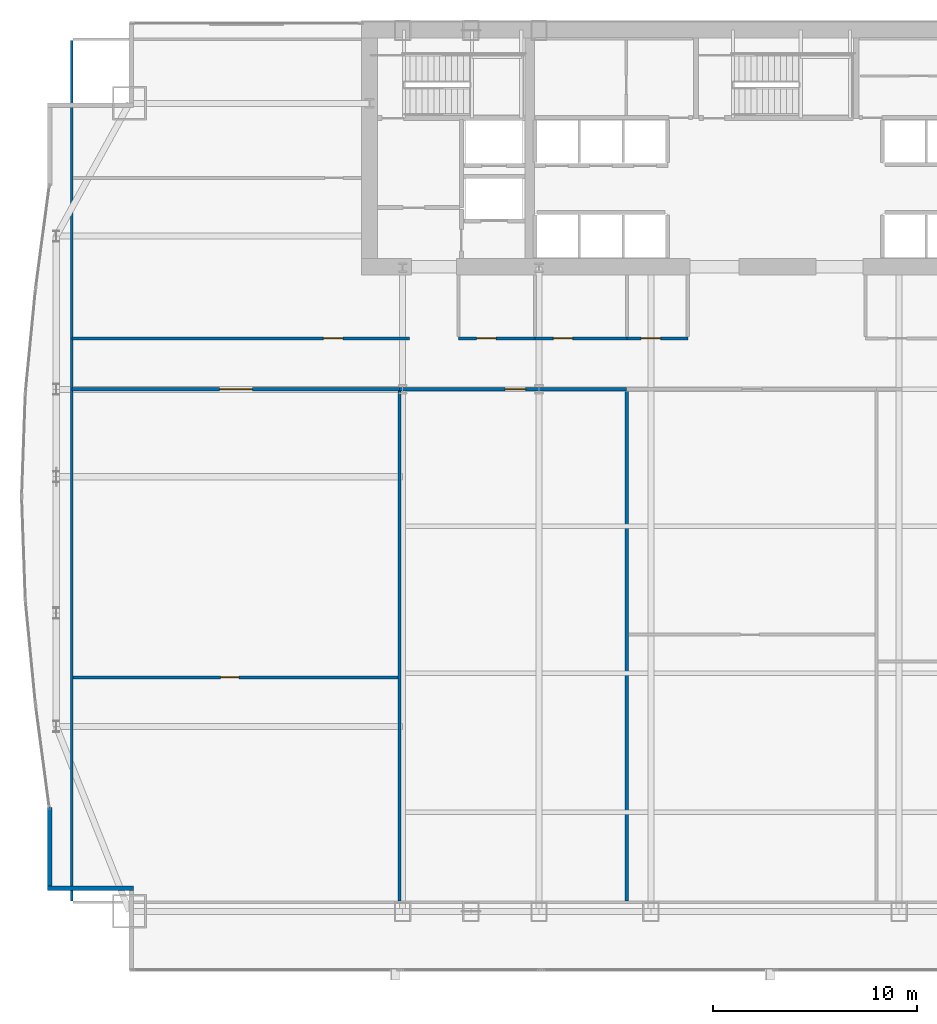
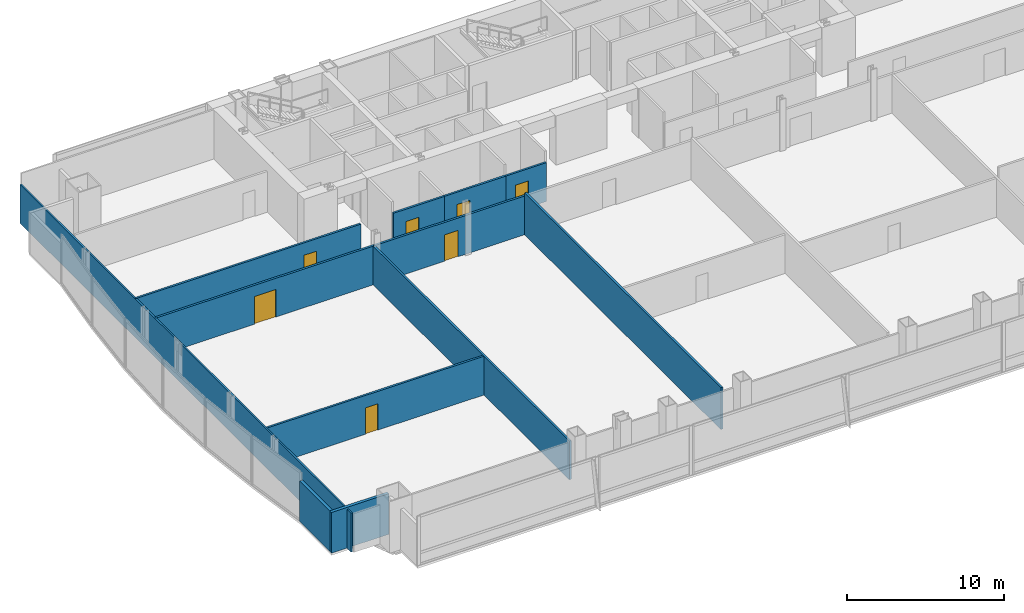
# One storey, part 28 of 35: 12 walls, 7 doors, 7 openings.
"""IFC4 building model written with IfcOpenShell, lengths in metres."""

import ifcopenshell
import ifcopenshell.guid

model = None  # the IFC model being written
_history = None  # IfcOwnerHistory: only IFC2X3 demands one
_inside = {}  # id of a spatial element -> (the spatial element, [elements in it])
_under = {}  # id of a project, library or spatial element -> (it, [spatial elements below it])
_declared = {}  # id of a project -> (the project, [libraries it declares])
_typed = {}  # id of a type object -> (the type object, [elements of that type])
_made_of = {}  # id of a material, layer set ... -> (it, [elements and type objects made of it])


def new_model(schema):
    """Start an empty IFC model of exactly this schema.

    Asked for "IFC4X3", IfcOpenShell would pick the latest addendum, in which some entities
    have other attributes; the version numbers below select the first issue.
    IFC2X3 requires an IfcOwnerHistory on every rooted entity: one is made here for all.
    """
    global model, _history
    if schema == "IFC4X3":
        model = ifcopenshell.file(schema_version=(4, 3, 0, 0))
    else:
        model = ifcopenshell.file(schema=schema)
    _inside.clear()
    _under.clear()
    _declared.clear()
    _typed.clear()
    _made_of.clear()
    _history = None
    if model.schema == "IFC2X3":
        org = make("IfcOrganization", Name="unknown")
        user = make(
            "IfcPersonAndOrganization",
            ThePerson=make("IfcPerson", FamilyName="unknown"),
            TheOrganization=org,
        )
        app = make(
            "IfcApplication",
            ApplicationDeveloper=org,
            Version="unknown",
            ApplicationFullName="unknown",
            ApplicationIdentifier="unknown",
        )
        _history = make(
            "IfcOwnerHistory",
            OwningUser=user,
            OwningApplication=app,
            ChangeAction="ADDED",
            CreationDate=0,
        )
    return model


def make(cls, **values):
    """One entity of the class cls with the attributes given. An attribute that is None is left unset."""
    return model.create_entity(
        cls, **{name: value for name, value in values.items() if value is not None}
    )


def rooted(cls, **values):
    """An entity with a GlobalId (a new one), such as an element, a storey or a relation."""
    return make(cls, GlobalId=ifcopenshell.guid.new(), OwnerHistory=_history, **values)


def si_unit(unit_type, name, prefix=None):
    """IfcSIUnit, for example si_unit("LENGTHUNIT", "METRE", prefix="MILLI")."""
    return make("IfcSIUnit", UnitType=unit_type, Prefix=prefix, Name=name)


def assignment(units):
    """IfcUnitAssignment: the units of a project."""
    return None if units is None else make("IfcUnitAssignment", Units=units)


def point(xyz):
    """IfcCartesianPoint."""
    return None if xyz is None else make("IfcCartesianPoint", Coordinates=xyz)


def direction(xyz):
    """IfcDirection."""
    return None if xyz is None else make("IfcDirection", DirectionRatios=xyz)


def frame(location, z_axis=None, x_axis=None):
    """IfcAxis2Placement3D, a coordinate frame: its origin and axes. An axis left out is left unset."""
    return make(
        "IfcAxis2Placement3D",
        Location=point(location),
        Axis=direction(z_axis),
        RefDirection=direction(x_axis),
    )


def frame_2d(location, x_axis=None):
    """IfcAxis2Placement2D, a coordinate frame in the plane: its origin and x axis."""
    return make(
        "IfcAxis2Placement2D", Location=point(location), RefDirection=direction(x_axis)
    )


def origin():
    """The frame at (0, 0, 0) with its axes left unset."""
    return frame((0.0, 0.0, 0.0))


def place(relative_to, where):
    """IfcLocalPlacement: puts the frame where relative to a parent placement (None: the world)."""
    return make(
        "IfcLocalPlacement", PlacementRelTo=relative_to, RelativePlacement=where
    )


def context(
    kind, dimensions, precision=None, world=None, true_north=None, identifier=None
):
    """IfcGeometricRepresentationContext, for example the 3D "Model" context."""
    return make(
        "IfcGeometricRepresentationContext",
        ContextIdentifier=identifier,
        ContextType=kind,
        CoordinateSpaceDimension=dimensions,
        Precision=precision,
        WorldCoordinateSystem=world,
        TrueNorth=true_north,
    )


def subcontext(parent, identifier, kind, view, scale=None):
    """IfcGeometricRepresentationSubContext, for example "Body" below "Model"."""
    return make(
        "IfcGeometricRepresentationSubContext",
        ContextIdentifier=identifier,
        ContextType=kind,
        ParentContext=parent,
        TargetScale=scale,
        TargetView=view,
    )


def project(units=None, contexts=None):
    """IfcProject with its units and contexts."""
    return rooted(
        "IfcProject",
        Name="project",
        RepresentationContexts=contexts,
        UnitsInContext=assignment(units),
    )


def spatial(cls, under=None, at=None, **own):
    """A site, building, storey or space (cls), placed at a placement, below another one or the project."""
    s = rooted(cls, ObjectPlacement=at, **own)
    if under is not None:
        _under.setdefault(under.id(), (under, []))[1].append(s)
    return s


def profile(cls, at=None, kind="AREA", **sizes):
    """A parametric profile (cls). Its sizes go by their IFC names, for example OverallWidth=200.0."""
    return make(cls, ProfileType=kind, Position=at, **sizes)


def rectangle(**sizes):
    """IfcRectangleProfileDef."""
    return profile("IfcRectangleProfileDef", **sizes)


def extrude(swept, where, along, depth):
    """IfcExtrudedAreaSolid: the profile swept, set in the frame where, extruded along a direction by depth."""
    return make(
        "IfcExtrudedAreaSolid",
        SweptArea=swept,
        Position=where,
        ExtrudedDirection=direction(along),
        Depth=depth,
    )


def shape(context_of_items, identifier, shape_type, items):
    """IfcShapeRepresentation: the items that make up one representation, for example the "Body"."""
    return make(
        "IfcShapeRepresentation",
        ContextOfItems=context_of_items,
        RepresentationIdentifier=identifier,
        RepresentationType=shape_type,
        Items=items,
    )


def material(Name=None, Category=None):
    """IfcMaterial."""
    return make("IfcMaterial", Name=Name, Category=Category)


def layer(
    of_material, thickness, ventilated=None, Name=None, Category=None, Priority=None
):
    """IfcMaterialLayer: one layer of a wall or slab, of a material (None: an air gap)."""
    return make(
        "IfcMaterialLayer",
        Material=of_material,
        LayerThickness=thickness,
        IsVentilated=ventilated,
        Name=Name,
        Category=Category,
        Priority=Priority,
    )


def layer_set(layers, Name=None):
    """IfcMaterialLayerSet."""
    return make("IfcMaterialLayerSet", MaterialLayers=layers, LayerSetName=Name)


def made_of(thing, what):
    """Note that an element or type object is made of a material, layer set ...; save() writes the relation."""
    if what is not None:
        _made_of.setdefault(what.id(), (what, []))[1].append(thing)
    return thing


def type_object(cls, material=None, **own):
    """A type object (cls), such as IfcWallType, which elements share."""
    return made_of(rooted(cls, **own), material)


def element(
    cls,
    number,
    at=None,
    inside=None,
    cuts=None,
    type_object=None,
    material=None,
    context=None,
    identifier="Body",
    shape_type=None,
    held_by="IfcProductDefinitionShape",
    body=None,
    shapes=None,
    **own,
):
    """One element of the class cls, such as IfcWall. Its Tag is "e" and its number.

    at: its placement. inside: the storey or other place that contains it. cuts: it is an
    opening in that element (IfcRelVoidsElement). A single representation is given by context,
    identifier, shape_type and body (its items); several are given by shapes. held_by: the class
    of the entity that holds the representations. save() writes the other relations.
    """
    e = rooted(cls, Tag="e%d" % number, ObjectPlacement=at, **own)
    if body is not None:
        shapes = [shape(context, identifier, shape_type, body)]
    if shapes is not None:
        e.Representation = make(held_by, Representations=shapes)
    if inside is not None:
        _inside.setdefault(inside.id(), (inside, []))[1].append(e)
    if cuts is not None:
        rooted(
            "IfcRelVoidsElement", RelatingBuildingElement=cuts, RelatedOpeningElement=e
        )
    if type_object is not None:
        _typed.setdefault(type_object.id(), (type_object, []))[1].append(e)
    return made_of(e, material)


def fill(opening, filler):
    """IfcRelFillsElement: the door or window that sits in an opening."""
    return rooted(
        "IfcRelFillsElement",
        RelatingOpeningElement=opening,
        RelatedBuildingElement=filler,
    )


def aggregate(whole, parts):
    """IfcRelAggregates: a whole, such as a stair, and the parts it consists of."""
    return rooted("IfcRelAggregates", RelatingObject=whole, RelatedObjects=parts)


def save(model, path):
    """Write the relations noted so far, then the file.

    IfcRelAggregates (storeys below a building ...), IfcRelContainedInSpatialStructure (elements
    in a storey), IfcRelDefinesByType, IfcRelAssociatesMaterial and IfcRelDeclares: one each for
    every whole, place, type object, material and project.
    """
    for whole, parts in _under.values():
        aggregate(whole, parts)
    for where, things in _inside.values():
        rooted(
            "IfcRelContainedInSpatialStructure",
            RelatedElements=things,
            RelatingStructure=where,
        )
    for kind, things in _typed.values():
        rooted("IfcRelDefinesByType", RelatedObjects=things, RelatingType=kind)
    for what, things in _made_of.values():
        rooted("IfcRelAssociatesMaterial", RelatedObjects=things, RelatingMaterial=what)
    for by, libraries in _declared.values():
        rooted("IfcRelDeclares", RelatingContext=by, RelatedDefinitions=libraries)
    model.write(path)


model = new_model("IFC4")

# Units and contexts
model_context = context("Model", 3, precision=1e-05, world=origin(), true_north=direction((0.0, 1.0)))
body_context = subcontext(model_context, "Body", "Model", "MODEL_VIEW")
ifc_project = project(units=[si_unit("LENGTHUNIT", "METRE"), si_unit("AREAUNIT", "SQUARE_METRE"), si_unit("VOLUMEUNIT", "CUBIC_METRE"), si_unit("PLANEANGLEUNIT", "RADIAN"), si_unit("MASSUNIT", "GRAM", prefix="KILO")], contexts=[model_context])

# Site, building, storey
site_placement = place(None, origin())
site = spatial("IfcSite", under=ifc_project, at=site_placement, CompositionType="ELEMENT")
building_placement = place(site_placement, origin())
building = spatial("IfcBuilding", under=site, at=building_placement, Name="Khoronbel Lancet Exchange", CompositionType="ELEMENT")
storey_placement = place(building_placement, frame((0.0, 0.0, 69.800048828125)))
storey = spatial("IfcBuildingStorey", under=building, at=storey_placement, Name="L16", CompositionType="ELEMENT", Elevation=69.800048828125)

# Walls
ifc_material_1 = material(Name="Precast concrete C40/50", Category="concrete")
ifc_layer_1 = layer(ifc_material_1, 0.25, Name="Precast concrete C40/50")
ifc_layer_set_1 = layer_set([ifc_layer_1], Name="Precast concrete C40/50")
wall_type_1 = type_object("IfcWallType", Name="WL-EXT250", PredefinedType="SOLIDWALL", material=ifc_layer_set_1)
wall_1_placement = place(storey_placement, frame((5.050048828125, 11.2900390625, 0.0), z_axis=(0.0, 0.0, 1.0), x_axis=(-1.0, 0.0, 0.0)))
element("IfcWall", 1, at=wall_1_placement, inside=storey, type_object=wall_type_1, Name="Level L16 notched-corner limestone pier 02", PredefinedType="SOLIDWALL", context=body_context, shape_type="SweptSolid", body=[
    extrude(rectangle(XDim=4.219970703125, YDim=0.219970703125, at=frame_2d((2.10986328125, 0.0))), origin(), (0.0, 0.0, 1.0), 3.159912109375),
])
wall_2_placement = place(storey_placement, frame((0.93994140625, 11.39990234375, 0.0), z_axis=(0.0, 0.0, 1.0), x_axis=(0.0, 1.0, 0.0)))
element("IfcWall", 2, at=wall_2_placement, inside=storey, type_object=wall_type_1, Name="Level L16 notched-corner limestone pier 03", PredefinedType="SOLIDWALL", context=body_context, shape_type="SweptSolid", body=[
    extrude(rectangle(XDim=3.826171875, YDim=0.219970703125, at=frame_2d((1.9130859375, 0.0))), origin(), (0.0, 0.0, 1.0), 3.159912109375),
])

# Wall, opening, door
ifc_material_2 = material(Name="Acoustic Metal-Stud & Mineral-Wool Gypsum Partition 120 mm", Category="gypsum")
ifc_layer_2 = layer(ifc_material_2, 0.1201171875, Name="Acoustic Metal-Stud & Mineral-Wool Gypsum Partition 120 mm")
ifc_layer_set_2 = layer_set([ifc_layer_2], Name="Acoustic Metal-Stud & Mineral-Wool Gypsum Partition 120 mm")
wall_type_2 = type_object("IfcWallType", Name="WL-PRT120", PredefinedType="PARTITIONING", material=ifc_layer_set_2)
wall_3_placement = place(storey_placement, frame((2.094970703125, 21.599365234375, 0.0), z_axis=(0.0, 0.0, 1.0), x_axis=(1.0, 0.0, 0.0)))
wall_3 = element("IfcWall", 3, at=wall_3_placement, inside=storey, type_object=wall_type_2, Name="Level L16 interior partition PW-Z1S-H1", PredefinedType="PARTITIONING", context=body_context, shape_type="SweptSolid", body=[
    extrude(rectangle(XDim=15.893798828125, YDim=0.14990234375, at=frame_2d((7.94677734375, 0.0))), origin(), (0.0, 0.0, 1.0), 3.010009765625),
])
opening_1_placement = place(wall_3_placement, frame((7.21728515625, 0.0, 0.0)))
opening_1 = element("IfcOpeningElement", 4, at=opening_1_placement, cuts=wall_3, Name="Opening D5", PredefinedType="OPENING", context=body_context, shape_type="SweptSolid", body=[
    extrude(rectangle(XDim=0.89990234375, YDim=2.050048828125, at=frame_2d((0.449951171875, 1.02490234375))), frame((0.0, 0.0849609375, 0.0), z_axis=(0.0, -1.0, 0.0), x_axis=(1.0, 0.0, 0.0)), (0.0, 0.0, 1.0), 0.169921875),
])
ifc_material_3 = material(Name="Acoustic Timber Pantry & Support Door", Category="wood")
door_type_1 = type_object("IfcDoorType", Name="DR-D5", OperationType="NOTDEFINED", PredefinedType="DOOR", material=ifc_material_3)
door_1_placement = place(opening_1_placement, origin())
door_1 = element("IfcDoor", 5, at=door_1_placement, inside=storey, type_object=door_type_1, Name="Z1S inner door 1 L16-1", OperationType="SINGLE_SWING_RIGHT", OverallHeight=2.050048828125, OverallWidth=0.89990234375, PredefinedType="DOOR", context=body_context, shape_type="SweptSolid", body=[
    extrude(rectangle(XDim=0.89990234375, YDim=2.050048828125, at=frame_2d((0.449951171875, 1.02490234375))), frame((0.0, 0.02490234375, 0.0), z_axis=(0.0, -1.0, 0.0), x_axis=(1.0, 0.0, 0.0)), (0.0, 0.0, 1.0), 0.050048828125),
])
fill(opening_1, door_1)

# Wall
wall_4_placement = place(storey_placement, frame((2.030029296875, 10.6650390625, 0.0), z_axis=(0.0, 0.0, 1.0), x_axis=(0.0, 1.0, 0.0)))
element("IfcWall", 6, at=wall_4_placement, inside=storey, type_object=wall_type_2, Name="Level L16 interior partition PW-LIN-W", PredefinedType="PARTITIONING", context=body_context, shape_type="SweptSolid", body=[
    extrude(rectangle(XDim=42.10986328125, YDim=0.1201171875, at=frame_2d((21.054931640625, 0.0))), origin(), (0.0, 0.0, 1.0), 3.010009765625),
])

# Wall, opening, door
ifc_material_4 = material(Name="Fire-Rated Twin-Stud Acoustic Gypsum Partition 150 mm", Category="gypsum")
ifc_layer_3 = layer(ifc_material_4, 0.14990234375, Name="Fire-Rated Twin-Stud Acoustic Gypsum Partition 150 mm")
ifc_layer_set_3 = layer_set([ifc_layer_3], Name="Fire-Rated Twin-Stud Acoustic Gypsum Partition 150 mm")
wall_type_3 = type_object("IfcWallType", Name="WL-PRT150C", PredefinedType="PARTITIONING", material=ifc_layer_set_3)
wall_5_placement = place(storey_placement, frame((20.949951171875, 38.199951171875, 0.0), z_axis=(0.0, 0.0, 1.0), x_axis=(1.0, 0.0, 0.0)))
wall_5 = element("IfcWall", 7, at=wall_5_placement, inside=storey, type_object=wall_type_3, Name="Level L16 interior partition PW-WC-S1", PredefinedType="PARTITIONING", context=body_context, shape_type="SweptSolid", body=[
    extrude(rectangle(XDim=3.75, YDim=0.14990234375, at=frame_2d((1.875, 0.0))), origin(), (0.0, 0.0, 1.0), 3.010009765625),
])
opening_2_placement = place(wall_5_placement, frame((0.89990234375, 0.0, 0.0)))
opening_2 = element("IfcOpeningElement", 8, at=opening_2_placement, cuts=wall_5, Name="Opening D4", PredefinedType="OPENING", context=body_context, shape_type="SweptSolid", body=[
    extrude(rectangle(XDim=0.949951171875, YDim=2.050048828125, at=frame_2d((0.47509765625, 1.02490234375))), frame((0.0, 0.0849609375, 0.0), z_axis=(0.0, -1.0, 0.0), x_axis=(1.0, 0.0, 0.0)), (0.0, 0.0, 1.0), 0.169921875),
])
ifc_material_5 = material(Name="Moisture-Resistant HPL Washroom Door", Category="wood")
door_type_2 = type_object("IfcDoorType", Name="DR-D4", OperationType="NOTDEFINED", PredefinedType="DOOR", material=ifc_material_5)
door_2_placement = place(opening_2_placement, origin())
door_2 = element("IfcDoor", 9, at=door_2_placement, inside=storey, type_object=door_type_2, Name="Male washroom door L16-1", OperationType="SINGLE_SWING_LEFT", OverallHeight=2.050048828125, OverallWidth=0.949951171875, PredefinedType="DOOR", context=body_context, shape_type="SweptSolid", body=[
    extrude(rectangle(XDim=0.949951171875, YDim=2.050048828125, at=frame_2d((0.47509765625, 1.02490234375))), frame((0.0, 0.02490234375, 0.0), z_axis=(0.0, -1.0, 0.0), x_axis=(1.0, 0.0, 0.0)), (0.0, 0.0, 1.0), 0.050048828125),
])
fill(opening_2, door_2)

wall_6_placement = place(storey_placement, frame((24.699951171875, 38.199951171875, 0.0), z_axis=(0.0, 0.0, 1.0), x_axis=(1.0, 0.0, 0.0)))
wall_6 = element("IfcWall", 10, at=wall_6_placement, inside=storey, type_object=wall_type_3, Name="Level L16 interior partition PW-WC-S2", PredefinedType="PARTITIONING", context=body_context, shape_type="SweptSolid", body=[
    extrude(rectangle(XDim=4.5, YDim=0.14990234375, at=frame_2d((2.25, 0.0))), origin(), (0.0, 0.0, 1.0), 3.010009765625),
])
opening_3_placement = place(wall_6_placement, frame((0.89990234375, 0.0, 0.0)))
opening_3 = element("IfcOpeningElement", 11, at=opening_3_placement, cuts=wall_6, Name="Opening D4", PredefinedType="OPENING", context=body_context, shape_type="SweptSolid", body=[
    extrude(rectangle(XDim=0.949951171875, YDim=2.050048828125, at=frame_2d((0.47509765625, 1.02490234375))), frame((0.0, 0.0849609375, 0.0), z_axis=(0.0, -1.0, 0.0), x_axis=(1.0, 0.0, 0.0)), (0.0, 0.0, 1.0), 0.169921875),
])
door_3_placement = place(opening_3_placement, origin())
door_3 = element("IfcDoor", 12, at=door_3_placement, inside=storey, type_object=door_type_2, Name="Female washroom door L16-1", OperationType="SINGLE_SWING_RIGHT", OverallHeight=2.050048828125, OverallWidth=0.949951171875, PredefinedType="DOOR", context=body_context, shape_type="SweptSolid", body=[
    extrude(rectangle(XDim=0.949951171875, YDim=2.050048828125, at=frame_2d((0.47509765625, 1.02490234375))), frame((0.0, 0.02490234375, 0.0), z_axis=(0.0, -1.0, 0.0), x_axis=(1.0, 0.0, 0.0)), (0.0, 0.0, 1.0), 0.050048828125),
])
fill(opening_3, door_3)

wall_7_placement = place(storey_placement, frame((29.199951171875, 38.199951171875, 0.0), z_axis=(0.0, 0.0, 1.0), x_axis=(1.0, 0.0, 0.0)))
wall_7 = element("IfcWall", 13, at=wall_7_placement, inside=storey, type_object=wall_type_3, Name="Level L16 interior partition PW-WC-S3", PredefinedType="PARTITIONING", context=body_context, shape_type="SweptSolid", body=[
    extrude(rectangle(XDim=2.97998046875, YDim=0.14990234375, at=frame_2d((1.489990234375, 0.0))), origin(), (0.0, 0.0, 1.0), 3.010009765625),
])
opening_4_placement = place(wall_7_placement, frame((0.699951171875, 0.0, 0.0)))
opening_4 = element("IfcOpeningElement", 14, at=opening_4_placement, cuts=wall_7, Name="Opening D4", PredefinedType="OPENING", context=body_context, shape_type="SweptSolid", body=[
    extrude(rectangle(XDim=0.949951171875, YDim=2.050048828125, at=frame_2d((0.47509765625, 1.02490234375))), frame((0.0, 0.0849609375, 0.0), z_axis=(0.0, -1.0, 0.0), x_axis=(1.0, 0.0, 0.0)), (0.0, 0.0, 1.0), 0.169921875),
])
door_4_placement = place(opening_4_placement, origin())
door_4 = element("IfcDoor", 15, at=door_4_placement, inside=storey, type_object=door_type_2, Name="Accessible WC door L16-1", OperationType="SINGLE_SWING_LEFT", OverallHeight=2.050048828125, OverallWidth=0.949951171875, PredefinedType="DOOR", context=body_context, shape_type="SweptSolid", body=[
    extrude(rectangle(XDim=0.949951171875, YDim=2.050048828125, at=frame_2d((0.47509765625, 1.02490234375))), frame((0.0, 0.02490234375, 0.0), z_axis=(0.0, -1.0, 0.0), x_axis=(1.0, 0.0, 0.0)), (0.0, 0.0, 1.0), 0.050048828125),
])
fill(opening_4, door_4)

wall_8_placement = place(storey_placement, frame((2.030029296875, 38.199951171875, 0.0), z_axis=(0.0, 0.0, 1.0), x_axis=(1.0, 0.0, 0.0)))
wall_8 = element("IfcWall", 16, at=wall_8_placement, inside=storey, type_object=wall_type_3, Name="Level L16 interior partition PW-NW-S", PredefinedType="PARTITIONING", context=body_context, shape_type="SweptSolid", body=[
    extrude(rectangle(XDim=16.52001953125, YDim=0.14990234375, at=frame_2d((8.260009765625, 0.0))), origin(), (0.0, 0.0, 1.0), 3.010009765625),
])
opening_5_placement = place(wall_8_placement, frame((12.320068359375, 0.0, 0.0)))
opening_5 = element("IfcOpeningElement", 17, at=opening_5_placement, cuts=wall_8, Name="Opening D1", PredefinedType="OPENING", context=body_context, shape_type="SweptSolid", body=[
    extrude(rectangle(XDim=0.949951171875, YDim=2.050048828125, at=frame_2d((0.47509765625, 1.02490234375))), frame((0.0, 0.0849609375, 0.0), z_axis=(0.0, -1.0, 0.0), x_axis=(1.0, 0.0, 0.0)), (0.0, 0.0, 1.0), 0.169921875),
])
ifc_material_6 = material(Name="Acoustic Veneered Timber & Bronze Frame Door", Category="wood")
door_type_3 = type_object("IfcDoorType", Name="DR-D1", OperationType="NOTDEFINED", PredefinedType="DOOR", material=ifc_material_6)
door_5_placement = place(opening_5_placement, origin())
door_5 = element("IfcDoor", 18, at=door_5_placement, inside=storey, type_object=door_type_3, Name="NW corner room door L16-1", OperationType="SINGLE_SWING_RIGHT", OverallHeight=2.050048828125, OverallWidth=0.949951171875, PredefinedType="DOOR", context=body_context, shape_type="SweptSolid", body=[
    extrude(rectangle(XDim=0.949951171875, YDim=2.050048828125, at=frame_2d((0.47509765625, 1.02490234375))), frame((0.0, 0.02490234375, 0.0), z_axis=(0.0, -1.0, 0.0), x_axis=(1.0, 0.0, 0.0)), (0.0, 0.0, 1.0), 0.050048828125),
])
fill(opening_5, door_5)

# Walls
wall_9_placement = place(storey_placement, frame((18.068603515625, 10.6650390625, 0.0), z_axis=(0.0, 0.0, 1.0), x_axis=(0.0, 1.0, 0.0)))
element("IfcWall", 19, at=wall_9_placement, inside=storey, type_object=wall_type_3, Name="Level L16 interior partition PW-Z1S-V1", PredefinedType="PARTITIONING", context=body_context, shape_type="SweptSolid", body=[
    extrude(rectangle(XDim=24.949951171875, YDim=0.14990234375, at=frame_2d((12.47509765625, 0.0))), origin(), (0.0, 0.0, 1.0), 3.010009765625),
])
wall_10_placement = place(storey_placement, frame((29.1923828125, 10.6650390625, 0.0), z_axis=(0.0, 0.0, 1.0), x_axis=(0.0, 1.0, 0.0)))
element("IfcWall", 20, at=wall_10_placement, inside=storey, type_object=wall_type_3, Name="Level L16 interior partition PW-Z1S-V2", PredefinedType="PARTITIONING", context=body_context, shape_type="SweptSolid", body=[
    extrude(rectangle(XDim=24.949951171875, YDim=0.14990234375, at=frame_2d((12.47509765625, 0.0))), origin(), (0.0, 0.0, 1.0), 3.260009765625),
])

# Wall, opening, door
ifc_material_7 = material(Name="Fire-Rated Twin-Stud Acoustic Gypsum Partition 160 mm", Category="gypsum")
ifc_layer_4 = layer(ifc_material_7, 0.159912109375, Name="Fire-Rated Twin-Stud Acoustic Gypsum Partition 160 mm")
ifc_layer_set_4 = layer_set([ifc_layer_4], Name="Fire-Rated Twin-Stud Acoustic Gypsum Partition 160 mm")
wall_type_4 = type_object("IfcWallType", Name="WL-PRT160C", PredefinedType="PARTITIONING", material=ifc_layer_set_4)
wall_11_placement = place(storey_placement, frame((2.030029296875, 35.699951171875, 0.0), z_axis=(0.0, 0.0, 1.0), x_axis=(1.0, 0.0, 0.0)))
wall_11 = element("IfcWall", 21, at=wall_11_placement, inside=storey, type_object=wall_type_4, Name="Level L16 interior partition PW-Z1S-COR1", PredefinedType="PARTITIONING", context=body_context, shape_type="SweptSolid", body=[
    extrude(rectangle(XDim=16.03857421875, YDim=0.159912109375, at=frame_2d((8.019287109375, 0.0))), origin(), (0.0, 0.0, 1.0), 3.010009765625),
])
opening_6_placement = place(wall_11_placement, frame((7.236328125, 0.0, 0.0)))
opening_6 = element("IfcOpeningElement", 22, at=opening_6_placement, cuts=wall_11, Name="Opening D3", PredefinedType="OPENING", context=body_context, shape_type="SweptSolid", body=[
    extrude(rectangle(XDim=1.60009765625, YDim=2.14990234375, at=frame_2d((0.800048828125, 1.074951171875))), frame((0.0, 0.08984375, 0.0), z_axis=(0.0, -1.0, 0.0), x_axis=(1.0, 0.0, 0.0)), (0.0, 0.0, 1.0), 0.179931640625),
])
ifc_material_8 = material(Name="Glazed Bronze-Framed Double Suite Door", Category="aluminium")
door_type_4 = type_object("IfcDoorType", Name="DR-D3", OperationType="NOTDEFINED", PredefinedType="DOOR", material=ifc_material_8)
door_6_placement = place(opening_6_placement, origin())
door_6 = element("IfcDoor", 23, at=door_6_placement, inside=storey, type_object=door_type_4, Name="Z1S bay 1 door L16-1", OperationType="DOUBLE_DOOR_SINGLE_SWING", OverallHeight=2.14990234375, OverallWidth=1.60009765625, PredefinedType="DOOR", context=body_context, shape_type="SweptSolid", body=[
    extrude(rectangle(XDim=1.60009765625, YDim=2.14990234375, at=frame_2d((0.800048828125, 1.074951171875))), frame((0.0, 0.02490234375, 0.0), z_axis=(0.0, -1.0, 0.0), x_axis=(1.0, 0.0, 0.0)), (0.0, 0.0, 1.0), 0.050048828125),
])
fill(opening_6, door_6)

wall_12_placement = place(storey_placement, frame((18.068603515625, 35.699951171875, 0.0), z_axis=(0.0, 0.0, 1.0), x_axis=(1.0, 0.0, 0.0)))
wall_12 = element("IfcWall", 24, at=wall_12_placement, inside=storey, type_object=wall_type_4, Name="Level L16 interior partition PW-Z1S-COR2", PredefinedType="PARTITIONING", context=body_context, shape_type="SweptSolid", body=[
    extrude(rectangle(XDim=11.123779296875, YDim=0.159912109375, at=frame_2d((5.56201171875, 0.0))), origin(), (0.0, 0.0, 1.0), 3.010009765625),
])
opening_7_placement = place(wall_12_placement, frame((5.171875, 0.0, 0.0)))
opening_7 = element("IfcOpeningElement", 25, at=opening_7_placement, cuts=wall_12, Name="Opening D2", PredefinedType="OPENING", context=body_context, shape_type="SweptSolid", body=[
    extrude(rectangle(XDim=1.0, YDim=2.050048828125, at=frame_2d((0.5, 1.02490234375))), frame((0.0, 0.08984375, 0.0), z_axis=(0.0, -1.0, 0.0), x_axis=(1.0, 0.0, 0.0)), (0.0, 0.0, 1.0), 0.179931640625),
])
door_type_5 = type_object("IfcDoorType", Name="DR-D2", OperationType="NOTDEFINED", PredefinedType="DOOR", material=ifc_material_6)
door_7_placement = place(opening_7_placement, origin())
door_7 = element("IfcDoor", 26, at=door_7_placement, inside=storey, type_object=door_type_5, Name="Z1S bay 2 door L16-1", OperationType="SINGLE_SWING_LEFT", OverallHeight=2.050048828125, OverallWidth=1.0, PredefinedType="DOOR", context=body_context, shape_type="SweptSolid", body=[
    extrude(rectangle(XDim=1.0, YDim=2.050048828125, at=frame_2d((0.5, 1.02490234375))), frame((0.0, 0.02490234375, 0.0), z_axis=(0.0, -1.0, 0.0), x_axis=(1.0, 0.0, 0.0)), (0.0, 0.0, 1.0), 0.050048828125),
])
fill(opening_7, door_7)

save(model, "model.ifc")
